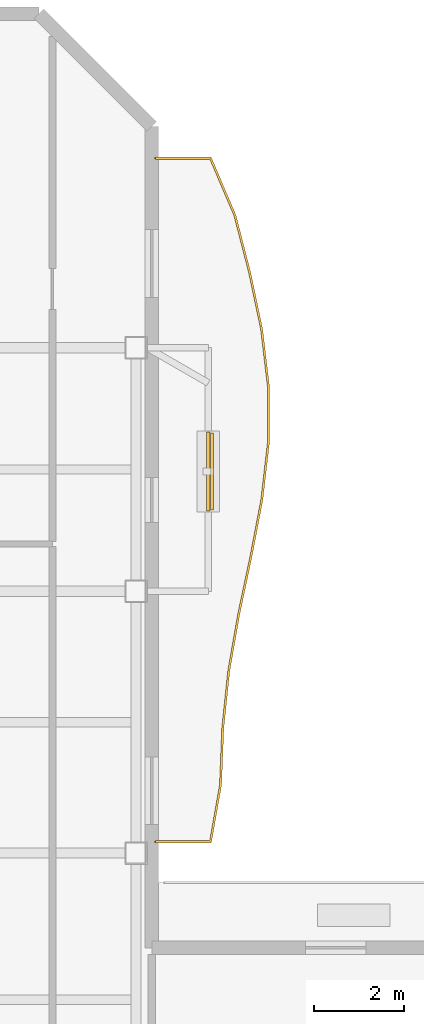
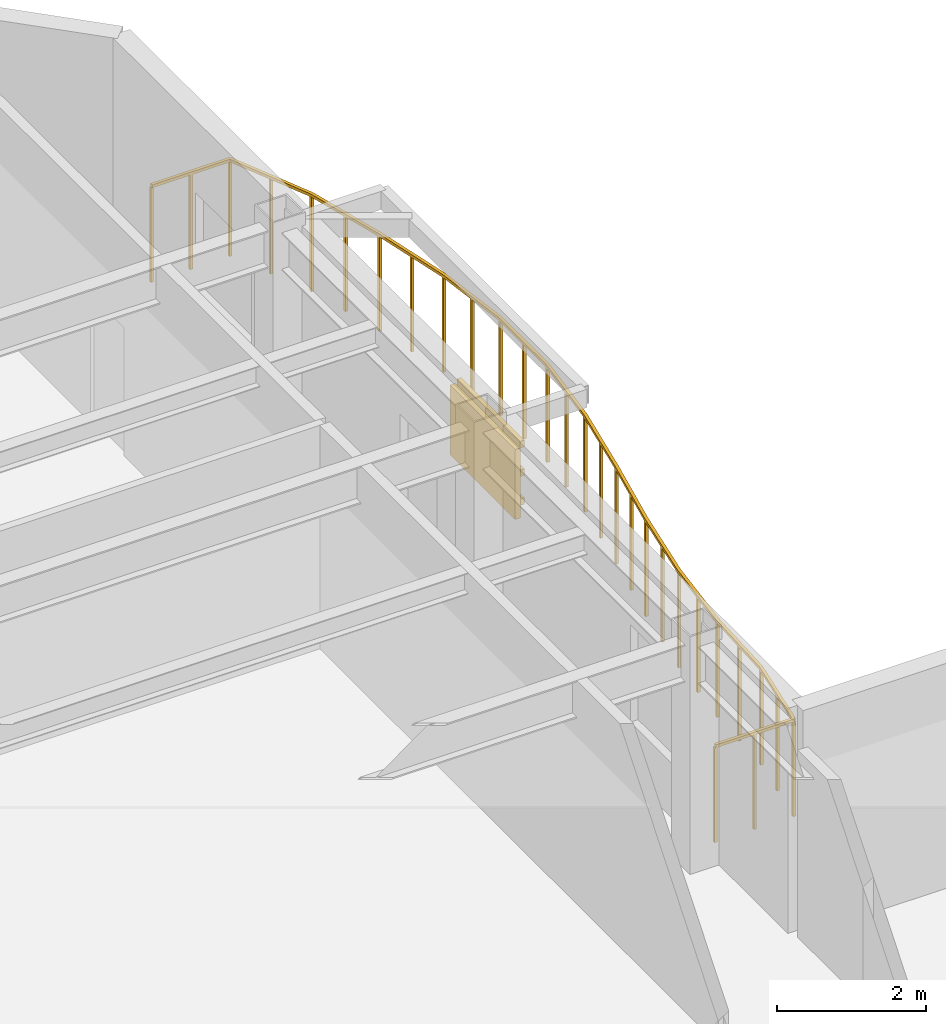
# One storey, part 10 of 10: 4 shading devices, 1 railing.
"""IFC4 building model written with IfcOpenShell, lengths in metres."""

from ifc_helpers import new_model, si_unit, direction, frame, origin, origin_2d, place, context, subcontext, project, spatial, rectangle, extrude, material, layer, layer_set, material_profile, profile_set, type_object, element, save


model = new_model("IFC4")

# Units and contexts
model_context = context("Model", 3, precision=1e-05, world=origin(), true_north=direction((0.0, 1.0)))
body_context = subcontext(model_context, "Body", "Model", "MODEL_VIEW")
ifc_project = project(units=[si_unit("LENGTHUNIT", "METRE"), si_unit("AREAUNIT", "SQUARE_METRE"), si_unit("VOLUMEUNIT", "CUBIC_METRE"), si_unit("PLANEANGLEUNIT", "RADIAN"), si_unit("MASSUNIT", "GRAM", prefix="KILO")], contexts=[model_context])

# Site, building, storey
site_placement = place(None, origin())
site = spatial("IfcSite", under=ifc_project, at=site_placement, CompositionType="ELEMENT")
building_placement = place(site_placement, origin())
building = spatial("IfcBuilding", under=site, at=building_placement, Name="Mawjaban Terraces University", CompositionType="ELEMENT")
storey_placement = place(building_placement, frame((0.0, 0.0, 122.89990234375)))
storey = spatial("IfcBuildingStorey", under=building, at=storey_placement, Name="L29", CompositionType="ELEMENT", Elevation=122.89990234375)

# Railing
ifc_material_1 = material(Name="Galvanised powder-coated steel S355", Category="steel")
railing_type = type_object("IfcRailingType", Name="BalconyBalustrade_1600", PredefinedType="BALUSTRADE", material=ifc_material_1)
railing_placement = place(storey_placement, frame((38.080078125, 30.25, 0.0)))
element("IfcRailing", 1, at=railing_placement, inside=storey, type_object=railing_type, Name="L29 Balcony Guardrail inner_east", PredefinedType="BALUSTRADE", context=body_context, shape_type="SweptSolid", body=[
    extrude(rectangle(XDim=0.048095703125, YDim=0.048095703125, at=origin_2d()), frame((0.0, 0.0, 1.576171875), z_axis=(1.0, 0.0, 0.0), x_axis=(0.0, 1.0, 0.0)), (0.0, 0.0, 1.0), 1.219970703125),
    extrude(rectangle(XDim=0.048095703125, YDim=0.048095703125, at=origin_2d()), frame((1.219970703125, 0.0, 1.576171875), z_axis=(0.17393748574, 0.984756696375, 0.0), x_axis=(-0.984756696375, 0.17393748574, 0.0)), (0.0, 0.0, 1.0), 1.281494140625),
    extrude(rectangle(XDim=0.048095703125, YDim=0.048095703125, at=origin_2d()), frame((1.44287109375, 1.261962890625, 1.576171875), z_axis=(0.039597761207, 0.999215701091, 0.0), x_axis=(-0.999215701091, 0.039597761207, 0.0)), (0.0, 0.0, 1.0), 1.263916015625),
    extrude(rectangle(XDim=0.048095703125, YDim=0.048095703125, at=origin_2d()), frame((1.492919921875, 2.52490234375, 1.576171875), z_axis=(0.103994325236, 0.994577890524, 0.0), x_axis=(-0.994577890524, 0.103994325236, 0.0)), (0.0, 0.0, 1.0), 1.27001953125),
    extrude(rectangle(XDim=0.048095703125, YDim=0.048095703125, at=origin_2d()), frame((1.625, 3.7880859375, 1.576171875), z_axis=(0.173198346057, 0.984886964541, 0.0), x_axis=(-0.984886964541, 0.173198346057, 0.0)), (0.0, 0.0, 1.0), 1.28125),
    extrude(rectangle(XDim=0.048095703125, YDim=0.048095703125, at=origin_2d()), frame((1.846923828125, 5.050048828125, 1.576171875), z_axis=(0.207784066904, 0.978174719332, 0.0), x_axis=(-0.978174719332, 0.207784066904, 0.0)), (0.0, 0.0, 1.0), 1.2900390625),
    extrude(rectangle(XDim=0.048095703125, YDim=0.048095703125, at=origin_2d()), frame((2.114990234375, 6.31201171875, 1.576171875), z_axis=(0.188150203557, 0.982140265391, 0.0), x_axis=(-0.982140265391, 0.188150203557, 0.0)), (0.0, 0.0, 1.0), 1.285888671875),
    extrude(rectangle(XDim=0.048095703125, YDim=0.048095703125, at=origin_2d()), frame((2.35693359375, 7.574951171875, 1.576171875), z_axis=(0.114923172933, 0.99337438276, 0.0), x_axis=(-0.99337438276, 0.114923172933, 0.0)), (0.0, 0.0, 1.0), 1.270263671875),
    extrude(rectangle(XDim=0.048095703125, YDim=0.048095703125, at=origin_2d()), frame((2.5029296875, 8.8369140625, 1.576171875), z_axis=(0.0, 1.0, 0.0), x_axis=(-1.0, 0.0, 0.0)), (0.0, 0.0, 1.0), 1.26318359375),
    extrude(rectangle(XDim=0.048095703125, YDim=0.048095703125, at=origin_2d()), frame((2.5029296875, 10.10009765625, 1.576171875), z_axis=(-0.117955807911, 0.99301884543, 0.0), x_axis=(-0.99301884543, -0.117955807911, 0.0)), (0.0, 0.0, 1.0), 1.270751953125),
    extrude(rectangle(XDim=0.048095703125, YDim=0.048095703125, at=origin_2d()), frame((2.35302734375, 11.362060546875, 1.576171875), z_axis=(-0.206906371252, 0.978360748158, 0.0), x_axis=(-0.978360748158, -0.206906371252, 0.0)), (0.0, 0.0, 1.0), 1.290771484375),
    extrude(rectangle(XDim=0.048095703125, YDim=0.048095703125, at=origin_2d()), frame((2.0859375, 12.625, 1.576171875), z_axis=(-0.250064963452, 0.968229060736, 0.0), x_axis=(-0.968229060736, -0.250064963452, 0.0)), (0.0, 0.0, 1.0), 1.303466796875),
    extrude(rectangle(XDim=0.048095703125, YDim=0.048095703125, at=origin_2d()), frame((1.760009765625, 13.886962890625, 1.576171875), z_axis=(-0.393168354606, 0.919466500171, 0.0), x_axis=(-0.919466500171, -0.393168354606, 0.0)), (0.0, 0.0, 1.0), 1.37353515625),
    extrude(rectangle(XDim=0.048095703125, YDim=0.048095703125, at=origin_2d()), frame((1.219970703125, 15.14990234375, 1.576171875), z_axis=(-1.0, 0.0, 0.0), x_axis=(0.0, -1.0, 0.0)), (0.0, 0.0, 1.0), 1.219970703125),
    extrude(rectangle(XDim=0.0419921875, YDim=0.0419921875, at=origin_2d()), origin(), (0.0, 0.0, 1.0), 1.552001953125),
    extrude(rectangle(XDim=0.0419921875, YDim=0.0419921875, at=origin_2d()), frame((0.60986328125, 0.0, 0.0)), (0.0, 0.0, 1.0), 1.552001953125),
    extrude(rectangle(XDim=0.0419921875, YDim=0.0419921875, at=origin_2d()), frame((1.219970703125, 0.0, 0.0)), (0.0, 0.0, 1.0), 1.552001953125),
    extrude(rectangle(XDim=0.0419921875, YDim=0.0419921875, at=origin_2d()), frame((1.33154296875, 0.630859375, 0.0)), (0.0, 0.0, 1.0), 1.552001953125),
    extrude(rectangle(XDim=0.0419921875, YDim=0.0419921875, at=origin_2d()), frame((1.44287109375, 1.261962890625, 0.0)), (0.0, 0.0, 1.0), 1.552001953125),
    extrude(rectangle(XDim=0.0419921875, YDim=0.0419921875, at=origin_2d()), frame((1.4677734375, 1.8935546875, 0.0)), (0.0, 0.0, 1.0), 1.552001953125),
    extrude(rectangle(XDim=0.0419921875, YDim=0.0419921875, at=origin_2d()), frame((1.492919921875, 2.52490234375, 0.0)), (0.0, 0.0, 1.0), 1.552001953125),
    extrude(rectangle(XDim=0.0419921875, YDim=0.0419921875, at=origin_2d()), frame((1.55908203125, 3.156494140625, 0.0)), (0.0, 0.0, 1.0), 1.552001953125),
    extrude(rectangle(XDim=0.0419921875, YDim=0.0419921875, at=origin_2d()), frame((1.625, 3.7880859375, 0.0)), (0.0, 0.0, 1.0), 1.552001953125),
    extrude(rectangle(XDim=0.0419921875, YDim=0.0419921875, at=origin_2d()), frame((1.73583984375, 4.4189453125, 0.0)), (0.0, 0.0, 1.0), 1.552001953125),
    extrude(rectangle(XDim=0.0419921875, YDim=0.0419921875, at=origin_2d()), frame((1.846923828125, 5.050048828125, 0.0)), (0.0, 0.0, 1.0), 1.552001953125),
    extrude(rectangle(XDim=0.0419921875, YDim=0.0419921875, at=origin_2d()), frame((1.98095703125, 5.68115234375, 0.0)), (0.0, 0.0, 1.0), 1.552001953125),
    extrude(rectangle(XDim=0.0419921875, YDim=0.0419921875, at=origin_2d()), frame((2.114990234375, 6.31201171875, 0.0)), (0.0, 0.0, 1.0), 1.552001953125),
    extrude(rectangle(XDim=0.0419921875, YDim=0.0419921875, at=origin_2d()), frame((2.23583984375, 6.943359375, 0.0)), (0.0, 0.0, 1.0), 1.552001953125),
    extrude(rectangle(XDim=0.0419921875, YDim=0.0419921875, at=origin_2d()), frame((2.35693359375, 7.574951171875, 0.0)), (0.0, 0.0, 1.0), 1.552001953125),
    extrude(rectangle(XDim=0.0419921875, YDim=0.0419921875, at=origin_2d()), frame((2.429931640625, 8.2060546875, 0.0)), (0.0, 0.0, 1.0), 1.552001953125),
    extrude(rectangle(XDim=0.0419921875, YDim=0.0419921875, at=origin_2d()), frame((2.5029296875, 8.8369140625, 0.0)), (0.0, 0.0, 1.0), 1.552001953125),
    extrude(rectangle(XDim=0.0419921875, YDim=0.0419921875, at=origin_2d()), frame((2.5029296875, 9.468505859375, 0.0)), (0.0, 0.0, 1.0), 1.552001953125),
    extrude(rectangle(XDim=0.0419921875, YDim=0.0419921875, at=origin_2d()), frame((2.5029296875, 10.10009765625, 0.0)), (0.0, 0.0, 1.0), 1.552001953125),
    extrude(rectangle(XDim=0.0419921875, YDim=0.0419921875, at=origin_2d()), frame((2.427978515625, 10.73095703125, 0.0)), (0.0, 0.0, 1.0), 1.552001953125),
    extrude(rectangle(XDim=0.0419921875, YDim=0.0419921875, at=origin_2d()), frame((2.35302734375, 11.362060546875, 0.0)), (0.0, 0.0, 1.0), 1.552001953125),
    extrude(rectangle(XDim=0.0419921875, YDim=0.0419921875, at=origin_2d()), frame((2.219482421875, 11.99365234375, 0.0)), (0.0, 0.0, 1.0), 1.552001953125),
    extrude(rectangle(XDim=0.0419921875, YDim=0.0419921875, at=origin_2d()), frame((2.0859375, 12.625, 0.0)), (0.0, 0.0, 1.0), 1.552001953125),
    extrude(rectangle(XDim=0.0419921875, YDim=0.0419921875, at=origin_2d()), frame((1.9228515625, 13.255859375, 0.0)), (0.0, 0.0, 1.0), 1.552001953125),
    extrude(rectangle(XDim=0.0419921875, YDim=0.0419921875, at=origin_2d()), frame((1.760009765625, 13.886962890625, 0.0)), (0.0, 0.0, 1.0), 1.552001953125),
    extrude(rectangle(XDim=0.0419921875, YDim=0.0419921875, at=origin_2d()), frame((1.489990234375, 14.5185546875, 0.0)), (0.0, 0.0, 1.0), 1.552001953125),
    extrude(rectangle(XDim=0.0419921875, YDim=0.0419921875, at=origin_2d()), frame((1.219970703125, 15.14990234375, 0.0)), (0.0, 0.0, 1.0), 1.552001953125),
    extrude(rectangle(XDim=0.0419921875, YDim=0.0419921875, at=origin_2d()), frame((0.60986328125, 15.14990234375, 0.0)), (0.0, 0.0, 1.0), 1.552001953125),
    extrude(rectangle(XDim=0.0419921875, YDim=0.0419921875, at=origin_2d()), frame((0.0, 15.14990234375, 0.0)), (0.0, 0.0, 1.0), 1.552001953125),
])

# Shading devices
ifc_material_2 = material(Name="Glazed architectural terracotta ceramic", Category="masonry")
ifc_material_profile = material_profile(ifc_material_2, rectangle(XDim=0.06494140625, YDim=0.110107421875, at=origin_2d()), Name="TBAG110X65")
ifc_profile_set = profile_set([ifc_material_profile], Name="Glazed architectural terracotta ceramic")
shading_device_type_1 = type_object("IfcShadingDeviceType", Name="TerracottaBaguette_110x65", PredefinedType="USERDEFINED", material=ifc_profile_set)
for number, where, z_axis, x_axis, name in (
    (2, (39.3349609375, 37.60595703125, 0.68017578125), (0.0, 1.0, 0.0), (-1.0, 0.0, 0.0), "L29 Horizontal Terracotta Baguette inner_east.1"),
    (3, (39.3349609375, 37.60595703125, 1.150146484375), (0.0, 1.0, 0.0), (-1.0, 0.0, 0.0), "L29 Horizontal Terracotta Baguette inner_east.2"),
    (4, (39.3349609375, 37.60595703125, 1.6201171875), (0.0, 1.0, 0.0), (-1.0, 0.0, 0.0), "L29 Horizontal Terracotta Baguette inner_east.3"),
):
    element("IfcShadingDevice", number, at=place(storey_placement, frame(where, z_axis=z_axis, x_axis=x_axis)), inside=storey, type_object=shading_device_type_1, Name=name, ObjectType="BAGUETTE", PredefinedType="USERDEFINED", context=body_context, shape_type="SweptSolid", body=[
        extrude(rectangle(XDim=0.06494140625, YDim=0.110107421875, at=origin_2d()), origin(), (0.0, 0.0, 1.0), 1.699951171875),
    ])
ifc_layer = layer(ifc_material_2, 0.080078125)
ifc_layer_set = layer_set([ifc_layer], Name="Glazed architectural terracotta ceramic")
shading_device_type_2 = type_object("IfcShadingDeviceType", Name="TerracottaScreen_Perforated", PredefinedType="USERDEFINED", material=ifc_layer_set)
shading_device_placement = place(storey_placement, frame((39.25, 38.4560546875, 0.440185546875), z_axis=(0.0, 0.0, 1.0), x_axis=(0.0, 1.0, 0.0)))
element("IfcShadingDevice", 5, at=shading_device_placement, inside=storey, type_object=shading_device_type_2, Name="L29 Balcony Perforated Terracotta Screen inner_east", ObjectType="SCREEN", PredefinedType="USERDEFINED", context=body_context, shape_type="SweptSolid", body=[
    extrude(rectangle(XDim=1.75, YDim=0.080078125, at=origin_2d()), origin(), (0.0, 0.0, 1.0), 1.14990234375),
])

save(model, "model.ifc")
